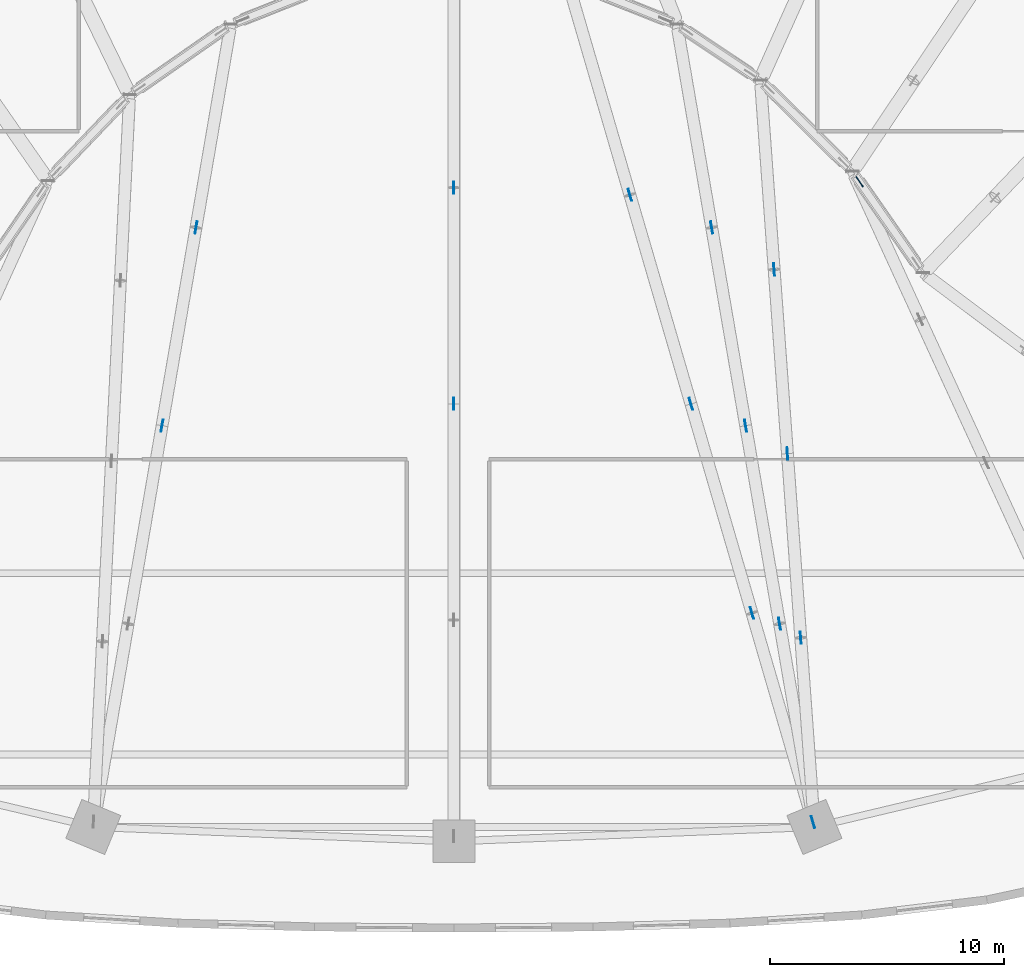
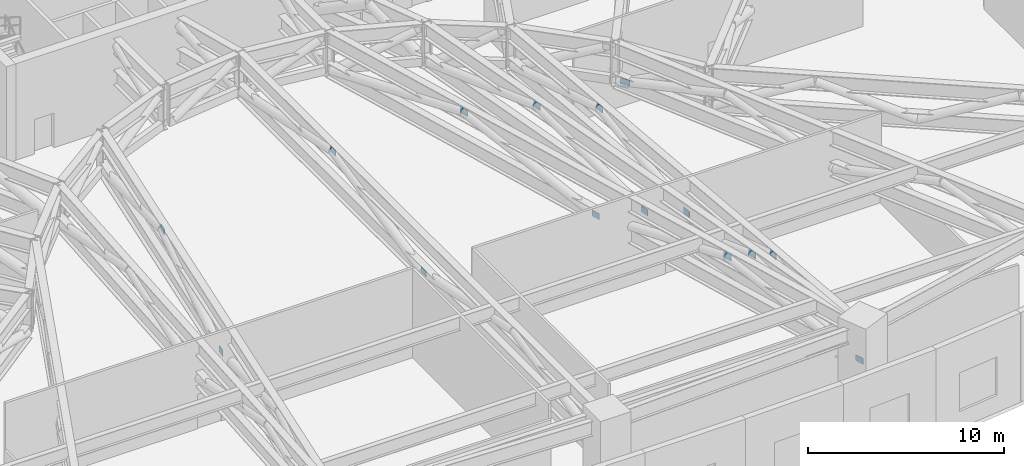
# One storey, part 9 of 19: 15 plates.
"""IFC4 building model written with IfcOpenShell, lengths in metres."""

from ifc_helpers import new_model, si_unit, direction, frame, origin, origin_2d, place, context, subcontext, project, spatial, rectangle, extrude, source, transform, mapped, material, layer, layer_set, type_object, element, save


model = new_model("IFC4")

# Units and contexts
model_context = context("Model", 3, precision=1e-05, world=origin(), true_north=direction((0.0, 1.0)))
body_context = subcontext(model_context, "Body", "Model", "MODEL_VIEW")
ifc_project = project(units=[si_unit("LENGTHUNIT", "METRE"), si_unit("AREAUNIT", "SQUARE_METRE"), si_unit("VOLUMEUNIT", "CUBIC_METRE"), si_unit("PLANEANGLEUNIT", "RADIAN"), si_unit("MASSUNIT", "GRAM", prefix="KILO")], contexts=[model_context])

# Site, building, storey
site_placement = place(None, origin())
site = spatial("IfcSite", under=ifc_project, at=site_placement, CompositionType="ELEMENT")
building_placement = place(site_placement, origin())
building = spatial("IfcBuilding", under=site, at=building_placement, Name="Breltana Convention Tower", CompositionType="ELEMENT")
storey_placement = place(building_placement, frame((0.0, 0.0, 24.0)))
storey = spatial("IfcBuildingStorey", under=building, at=storey_placement, Name="L04", CompositionType="ELEMENT", Elevation=24.0)

# Plates
ifc_material = material(Name="Steel S355", Category="steel")
ifc_layer = layer(ifc_material, 0.0400390625, Name="Steel S355")
ifc_layer_set = layer_set([ifc_layer], Name="Steel S355")
plate_type = type_object("IfcPlateType", Name="PL-GUSSET-40", PredefinedType="USERDEFINED", material=ifc_layer_set)
shared_shape = source(origin(), body_context, "Body", "SweptSolid", [
    extrude(rectangle(XDim=0.52001953125, YDim=0.0400390625, at=origin_2d()), origin(), (0.0, 0.0, 1.0), 0.360107421875),
])
for number, where, z_axis, x_axis, name in (
    (1, (35.550537109375, 36.43505859375, 2.96337890625), (0.0, 0.0, 1.0), (0.169005469575, 0.985615113142, 0.0), "L04 Structural Brace Node Gusset Plate 071"),
    (2, (36.999267578125, 44.887939453125, 4.89599609375), (0.0, 0.0, 1.0), (0.168833444713, 0.985644595149, 0.0), "L04 Structural Brace Node Gusset Plate 072"),
    (3, (48.0, 37.367919921875, 2.96337890625), (0.0, 0.0, 1.0), (0.0, 1.0, 0.0), "L04 Structural Brace Node Gusset Plate 080"),
    (4, (48.0, 46.592041015625, 4.89599609375), (0.0, 0.0, 1.0), (0.0, 1.0, 0.0), "L04 Structural Brace Node Gusset Plate 081"),
    (5, (63.322265625, 19.523681640625, 2.96337890625), (0.0, 0.0, 1.0), (-0.280164117595, 0.959952117146, 0.0), "L04 Structural Brace Node Gusset Plate 087"),
    (6, (60.71875, 28.442626953125, 4.89599609375), (0.0, 0.0, 1.0), (-0.280164117595, 0.959952117146, 0.0), "L04 Structural Brace Node Gusset Plate 088"),
    (7, (58.115234375, 37.361572265625, 2.96337890625), (0.0, 0.0, 1.0), (-0.280164117595, 0.959952117146, 0.0), "L04 Structural Brace Node Gusset Plate 089"),
    (8, (55.51171875, 46.280517578125, 4.89599609375), (0.0, 0.0, 1.0), (-0.280164117595, 0.959952117146, 0.0), "L04 Structural Brace Node Gusset Plate 090"),
    (9, (61.898193359375, 27.982421875, 4.89599609375), (0.0, 0.0, 1.0), (-0.168833444713, 0.985644595149, 0.0), "L04 Structural Brace Node Gusset Plate 096"),
    (10, (60.449462890625, 36.43505859375, 2.96337890625), (0.0, 0.0, 1.0), (-0.169005469575, 0.985615113142, 0.0), "L04 Structural Brace Node Gusset Plate 097"),
    (11, (59.000732421875, 44.887939453125, 4.89599609375), (0.0, 0.0, 1.0), (-0.168833444713, 0.985644595149, 0.0), "L04 Structural Brace Node Gusset Plate 098"),
    (12, (62.800537109375, 27.3876953125, 4.89599609375), (0.0, 0.0, 1.0), (-0.072019693281, 0.997403210231, 0.0), "L04 Structural Brace Node Gusset Plate 101"),
    (13, (62.23291015625, 35.243408203125, 2.96337890625), (0.0, 0.0, 1.0), (-0.072019693281, 0.997403210231, 0.0), "L04 Structural Brace Node Gusset Plate 102"),
    (14, (61.665283203125, 43.099365234375, 4.89599609375), (0.0, 0.0, 1.0), (-0.072019693281, 0.997403210231, 0.0), "L04 Structural Brace Node Gusset Plate 103"),
    (15, (65.31005859375, 46.84228515625, 2.96337890625), (0.0, 0.0, 1.0), (0.571143442153, -0.820850271661, 0.0), "L04 Structural Brace Node Gusset Plate 161"),
):
    element("IfcPlate", number, at=place(storey_placement, frame(where, z_axis=z_axis, x_axis=x_axis)), inside=storey, type_object=plate_type, Name=name, ObjectType="GUSSET_PLATE", PredefinedType="USERDEFINED", context=body_context, shape_type="MappedRepresentation", body=[
        mapped(shared_shape, transform((0.0, 0.0, 0.0), scale=1.0)),
    ])

save(model, "model.ifc")
